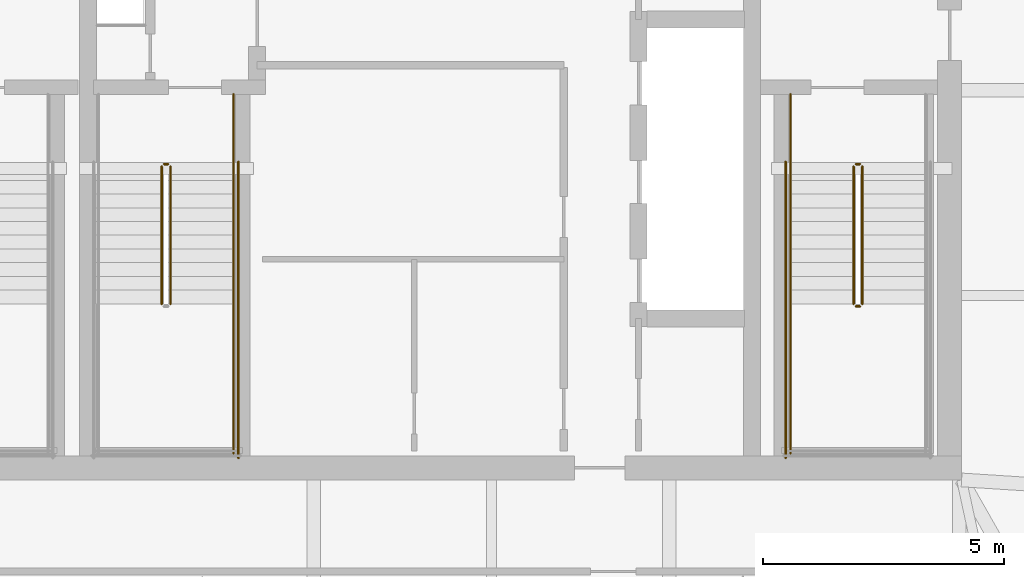
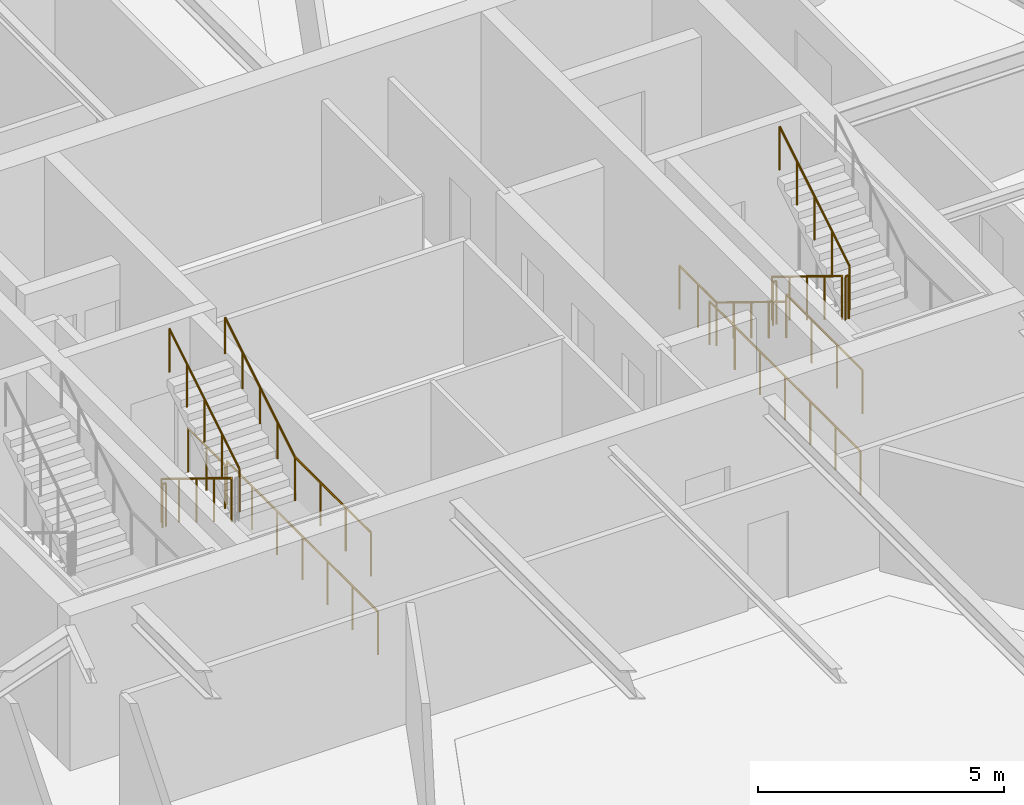
# One storey, part 19 of 20: 15 railings.
"""IFC4 building model written with IfcOpenShell, lengths in metres."""

from ifc_helpers import new_model, si_unit, direction, frame, origin, origin_2d, place, context, subcontext, project, spatial, circle, extrude, material, type_object, element, save


model = new_model("IFC4")

# Units and contexts
model_context = context("Model", 3, precision=1e-05, world=origin(), true_north=direction((0.0, 1.0)))
body_context = subcontext(model_context, "Body", "Model", "MODEL_VIEW")
ifc_project = project(units=[si_unit("LENGTHUNIT", "METRE"), si_unit("AREAUNIT", "SQUARE_METRE"), si_unit("VOLUMEUNIT", "CUBIC_METRE"), si_unit("PLANEANGLEUNIT", "RADIAN"), si_unit("MASSUNIT", "GRAM", prefix="KILO")], contexts=[model_context])

# Site, building, storey
site_placement = place(None, origin())
site = spatial("IfcSite", under=ifc_project, at=site_placement, CompositionType="ELEMENT")
building_placement = place(site_placement, origin())
building = spatial("IfcBuilding", under=site, at=building_placement, Name="Bramvorn Convention Spire", CompositionType="ELEMENT")
storey_placement = place(building_placement, frame((0.0, 0.0, 242.050048828125)))
storey = spatial("IfcBuildingStorey", under=building, at=storey_placement, Name="L61", CompositionType="ELEMENT", Elevation=242.050048828125)

# Railings
ifc_material_1 = material(Name="Painted Steel Balustrade & Guardrail", Category="steel")
railing_type_1 = type_object("IfcRailingType", Name="RL-STAIR-GUARD-1100", PredefinedType="GUARDRAIL", material=ifc_material_1)
railing_1_placement = place(storey_placement, frame((47.010009765625, 25.050048828125, 0.175048828125)))
element("IfcRailing", 1, at=railing_1_placement, inside=storey, type_object=railing_type_1, Name="L61 ST2 stair guard 1", PredefinedType="GUARDRAIL", context=body_context, shape_type="SweptSolid", body=[
    extrude(circle(Radius=0.02392578125, at=origin_2d()), frame((0.0, 0.0, 1.076171875), z_axis=(0.0, -0.852179220489, 0.52325001306), x_axis=(1.0, 0.0, 0.0)), (0.0, 0.0, 1.0), 3.344482421875),
    extrude(circle(Radius=0.02099609375, at=origin_2d()), origin(), (0.0, 0.0, 1.0), 1.052001953125),
    extrude(circle(Radius=0.02099609375, at=origin_2d()), frame((0.0, -0.71240234375, 0.4375)), (0.0, 0.0, 1.0), 1.052001953125),
    extrude(circle(Radius=0.02099609375, at=origin_2d()), frame((0.0, -1.425048828125, 0.875)), (0.0, 0.0, 1.0), 1.052001953125),
    extrude(circle(Radius=0.02099609375, at=origin_2d()), frame((0.0, -2.1376953125, 1.3125)), (0.0, 0.0, 1.0), 1.052001953125),
    extrude(circle(Radius=0.02099609375, at=origin_2d()), frame((0.0, -2.85009765625, 1.75)), (0.0, 0.0, 1.0), 1.052001953125),
])
railing_2_placement = place(storey_placement, frame((47.06005859375, 22.14990234375, 1.925048828125)))
element("IfcRailing", 2, at=railing_2_placement, inside=storey, type_object=railing_type_1, Name="L61 ST2 stair guard 2", PredefinedType="GUARDRAIL", context=body_context, shape_type="SweptSolid", body=[
    extrude(circle(Radius=0.02392578125, at=origin_2d()), frame((0.0, 0.0, 1.076171875), z_axis=(1.0, 0.0, 0.0), x_axis=(0.0, 1.0, 0.0)), (0.0, 0.0, 1.0), 0.079833984375),
    extrude(circle(Radius=0.02099609375, at=origin_2d()), origin(), (0.0, 0.0, 1.0), 1.052001953125),
    extrude(circle(Radius=0.02099609375, at=origin_2d()), frame((0.079833984375, 0.0, 0.0)), (0.0, 0.0, 1.0), 1.052001953125),
])
railing_3_placement = place(storey_placement, frame((45.699951171875, 22.199951171875, 1.925048828125)))
element("IfcRailing", 3, at=railing_3_placement, inside=storey, type_object=railing_type_1, Name="L61 ST2 stair guard 3", PredefinedType="GUARDRAIL", context=body_context, shape_type="SweptSolid", body=[
    extrude(circle(Radius=0.02392578125, at=origin_2d()), frame((0.0, 0.0, 1.076171875), z_axis=(0.0, -1.0, 0.0), x_axis=(1.0, 0.0, 0.0)), (0.0, 0.0, 1.0), 3.099853515625),
    extrude(circle(Radius=0.02099609375, at=origin_2d()), origin(), (0.0, 0.0, 1.0), 1.052001953125),
    extrude(circle(Radius=0.02099609375, at=origin_2d()), frame((0.0, -1.033203125, 0.0)), (0.0, 0.0, 1.0), 1.052001953125),
    extrude(circle(Radius=0.02099609375, at=origin_2d()), frame((0.0, -2.066650390625, 0.0)), (0.0, 0.0, 1.0), 1.052001953125),
    extrude(circle(Radius=0.02099609375, at=origin_2d()), frame((0.0, -3.099853515625, 0.0)), (0.0, 0.0, 1.0), 1.052001953125),
])
railing_4_placement = place(storey_placement, frame((47.18994140625, 22.199951171875, 2.099853515625)))
element("IfcRailing", 4, at=railing_4_placement, inside=storey, type_object=railing_type_1, Name="L61 ST2 stair guard 6", PredefinedType="GUARDRAIL", context=body_context, shape_type="SweptSolid", body=[
    extrude(circle(Radius=0.02392578125, at=origin_2d()), frame((0.0, 0.0, 1.076171875), z_axis=(0.0, 0.852179220489, 0.52325001306), x_axis=(-1.0, 0.0, 0.0)), (0.0, 0.0, 1.0), 3.344482421875),
    extrude(circle(Radius=0.02099609375, at=origin_2d()), origin(), (0.0, 0.0, 1.0), 1.052001953125),
    extrude(circle(Radius=0.02099609375, at=origin_2d()), frame((0.0, 0.71240234375, 0.4375)), (0.0, 0.0, 1.0), 1.052001953125),
    extrude(circle(Radius=0.02099609375, at=origin_2d()), frame((0.0, 1.425048828125, 0.875)), (0.0, 0.0, 1.0), 1.052001953125),
    extrude(circle(Radius=0.02099609375, at=origin_2d()), frame((0.0, 2.1376953125, 1.3125)), (0.0, 0.0, 1.0), 1.052001953125),
    extrude(circle(Radius=0.02099609375, at=origin_2d()), frame((0.0, 2.85009765625, 1.75)), (0.0, 0.0, 1.0), 1.052001953125),
])
railing_5_placement = place(storey_placement, frame((47.06005859375, 25.10009765625, 0.0)))
element("IfcRailing", 5, at=railing_5_placement, inside=storey, type_object=railing_type_1, Name="L61 ST2 stair guard 7", PredefinedType="GUARDRAIL", context=body_context, shape_type="SweptSolid", body=[
    extrude(circle(Radius=0.02392578125, at=origin_2d()), frame((0.0, 0.0, 1.076171875), z_axis=(1.0, 0.0, 0.0), x_axis=(0.0, 1.0, 0.0)), (0.0, 0.0, 1.0), 0.079833984375),
    extrude(circle(Radius=0.02099609375, at=origin_2d()), origin(), (0.0, 0.0, 1.0), 1.052001953125),
    extrude(circle(Radius=0.02099609375, at=origin_2d()), frame((0.079833984375, 0.0, 0.0)), (0.0, 0.0, 1.0), 1.052001953125),
])
railing_6_placement = place(storey_placement, frame((45.699951171875, 26.550048828125, 0.0)))
element("IfcRailing", 6, at=railing_6_placement, inside=storey, type_object=railing_type_1, Name="L61 ST2 stair guard 8", PredefinedType="GUARDRAIL", context=body_context, shape_type="SweptSolid", body=[
    extrude(circle(Radius=0.02392578125, at=origin_2d()), frame((0.0, 0.0, 1.076171875), z_axis=(0.0, -1.0, 0.0), x_axis=(1.0, 0.0, 0.0)), (0.0, 0.0, 1.0), 1.5),
    extrude(circle(Radius=0.02099609375, at=origin_2d()), origin(), (0.0, 0.0, 1.0), 1.052001953125),
    extrude(circle(Radius=0.02099609375, at=origin_2d()), frame((0.0, -0.75, 0.0)), (0.0, 0.0, 1.0), 1.052001953125),
    extrude(circle(Radius=0.02099609375, at=origin_2d()), frame((0.0, -1.5, 0.0)), (0.0, 0.0, 1.0), 1.052001953125),
])
railing_7_placement = place(storey_placement, frame((45.60009765625, 25.14990234375, 0.0)))
element("IfcRailing", 7, at=railing_7_placement, inside=storey, type_object=railing_type_1, Name="L61 ST2 stair guard 10", PredefinedType="GUARDRAIL", context=body_context, shape_type="SweptSolid", body=[
    extrude(circle(Radius=0.02392578125, at=origin_2d()), frame((0.0, 0.0, 1.076171875), z_axis=(0.0, -1.0, 0.0), x_axis=(1.0, 0.0, 0.0)), (0.0, 0.0, 1.0), 6.14990234375),
    extrude(circle(Radius=0.02099609375, at=origin_2d()), origin(), (0.0, 0.0, 1.0), 1.052001953125),
    extrude(circle(Radius=0.02099609375, at=origin_2d()), frame((0.0, -1.02490234375, 0.0)), (0.0, 0.0, 1.0), 1.052001953125),
    extrude(circle(Radius=0.02099609375, at=origin_2d()), frame((0.0, -2.050048828125, 0.0)), (0.0, 0.0, 1.0), 1.052001953125),
    extrude(circle(Radius=0.02099609375, at=origin_2d()), frame((0.0, -3.074951171875, 0.0)), (0.0, 0.0, 1.0), 1.052001953125),
    extrude(circle(Radius=0.02099609375, at=origin_2d()), frame((0.0, -4.099853515625, 0.0)), (0.0, 0.0, 1.0), 1.052001953125),
    extrude(circle(Radius=0.02099609375, at=origin_2d()), frame((0.0, -5.125, 0.0)), (0.0, 0.0, 1.0), 1.052001953125),
    extrude(circle(Radius=0.02099609375, at=origin_2d()), frame((0.0, -6.14990234375, 0.0)), (0.0, 0.0, 1.0), 1.052001953125),
])
railing_8_placement = place(storey_placement, frame((32.659912109375, 25.050048828125, 0.175048828125)))
element("IfcRailing", 8, at=railing_8_placement, inside=storey, type_object=railing_type_1, Name="L61 ST3 stair guard 1", PredefinedType="GUARDRAIL", context=body_context, shape_type="SweptSolid", body=[
    extrude(circle(Radius=0.02392578125, at=origin_2d()), frame((0.0, 0.0, 1.076171875), z_axis=(0.0, -0.852179220489, 0.52325001306), x_axis=(1.0, 0.0, 0.0)), (0.0, 0.0, 1.0), 3.344482421875),
    extrude(circle(Radius=0.02099609375, at=origin_2d()), origin(), (0.0, 0.0, 1.0), 1.052001953125),
    extrude(circle(Radius=0.02099609375, at=origin_2d()), frame((0.0, -0.71240234375, 0.4375)), (0.0, 0.0, 1.0), 1.052001953125),
    extrude(circle(Radius=0.02099609375, at=origin_2d()), frame((0.0, -1.425048828125, 0.875)), (0.0, 0.0, 1.0), 1.052001953125),
    extrude(circle(Radius=0.02099609375, at=origin_2d()), frame((0.0, -2.1376953125, 1.3125)), (0.0, 0.0, 1.0), 1.052001953125),
    extrude(circle(Radius=0.02099609375, at=origin_2d()), frame((0.0, -2.85009765625, 1.75)), (0.0, 0.0, 1.0), 1.052001953125),
])
railing_9_placement = place(storey_placement, frame((34.14990234375, 22.199951171875, 1.925048828125)))
element("IfcRailing", 9, at=railing_9_placement, inside=storey, type_object=railing_type_1, Name="L61 ST3 stair guard 4", PredefinedType="GUARDRAIL", context=body_context, shape_type="SweptSolid", body=[
    extrude(circle(Radius=0.02392578125, at=origin_2d()), frame((0.0, 0.0, 1.076171875), z_axis=(0.0, -1.0, 0.0), x_axis=(1.0, 0.0, 0.0)), (0.0, 0.0, 1.0), 3.099853515625),
    extrude(circle(Radius=0.02099609375, at=origin_2d()), origin(), (0.0, 0.0, 1.0), 1.052001953125),
    extrude(circle(Radius=0.02099609375, at=origin_2d()), frame((0.0, -1.033203125, 0.0)), (0.0, 0.0, 1.0), 1.052001953125),
    extrude(circle(Radius=0.02099609375, at=origin_2d()), frame((0.0, -2.066650390625, 0.0)), (0.0, 0.0, 1.0), 1.052001953125),
    extrude(circle(Radius=0.02099609375, at=origin_2d()), frame((0.0, -3.099853515625, 0.0)), (0.0, 0.0, 1.0), 1.052001953125),
])
railing_10_placement = place(storey_placement, frame((32.840087890625, 22.199951171875, 2.099853515625)))
element("IfcRailing", 10, at=railing_10_placement, inside=storey, type_object=railing_type_1, Name="L61 ST3 stair guard 6", PredefinedType="GUARDRAIL", context=body_context, shape_type="SweptSolid", body=[
    extrude(circle(Radius=0.02392578125, at=origin_2d()), frame((0.0, 0.0, 1.076171875), z_axis=(0.0, 0.852179220489, 0.52325001306), x_axis=(-1.0, 0.0, 0.0)), (0.0, 0.0, 1.0), 3.344482421875),
    extrude(circle(Radius=0.02099609375, at=origin_2d()), origin(), (0.0, 0.0, 1.0), 1.052001953125),
    extrude(circle(Radius=0.02099609375, at=origin_2d()), frame((0.0, 0.71240234375, 0.4375)), (0.0, 0.0, 1.0), 1.052001953125),
    extrude(circle(Radius=0.02099609375, at=origin_2d()), frame((0.0, 1.425048828125, 0.875)), (0.0, 0.0, 1.0), 1.052001953125),
    extrude(circle(Radius=0.02099609375, at=origin_2d()), frame((0.0, 2.1376953125, 1.3125)), (0.0, 0.0, 1.0), 1.052001953125),
    extrude(circle(Radius=0.02099609375, at=origin_2d()), frame((0.0, 2.85009765625, 1.75)), (0.0, 0.0, 1.0), 1.052001953125),
])
railing_11_placement = place(storey_placement, frame((32.7099609375, 25.10009765625, 0.0)))
element("IfcRailing", 11, at=railing_11_placement, inside=storey, type_object=railing_type_1, Name="L61 ST3 stair guard 7", PredefinedType="GUARDRAIL", context=body_context, shape_type="SweptSolid", body=[
    extrude(circle(Radius=0.02392578125, at=origin_2d()), frame((0.0, 0.0, 1.076171875), z_axis=(1.0, 0.0, 0.0), x_axis=(0.0, 1.0, 0.0)), (0.0, 0.0, 1.0), 0.080078125),
    extrude(circle(Radius=0.02099609375, at=origin_2d()), origin(), (0.0, 0.0, 1.0), 1.052001953125),
    extrude(circle(Radius=0.02099609375, at=origin_2d()), frame((0.080078125, 0.0, 0.0)), (0.0, 0.0, 1.0), 1.052001953125),
])
railing_12_placement = place(storey_placement, frame((34.14990234375, 26.550048828125, 0.0)))
element("IfcRailing", 12, at=railing_12_placement, inside=storey, type_object=railing_type_1, Name="L61 ST3 stair guard 9", PredefinedType="GUARDRAIL", context=body_context, shape_type="SweptSolid", body=[
    extrude(circle(Radius=0.02392578125, at=origin_2d()), frame((0.0, 0.0, 1.076171875), z_axis=(0.0, -1.0, 0.0), x_axis=(1.0, 0.0, 0.0)), (0.0, 0.0, 1.0), 1.5),
    extrude(circle(Radius=0.02099609375, at=origin_2d()), origin(), (0.0, 0.0, 1.0), 1.052001953125),
    extrude(circle(Radius=0.02099609375, at=origin_2d()), frame((0.0, -0.75, 0.0)), (0.0, 0.0, 1.0), 1.052001953125),
    extrude(circle(Radius=0.02099609375, at=origin_2d()), frame((0.0, -1.5, 0.0)), (0.0, 0.0, 1.0), 1.052001953125),
])
railing_13_placement = place(storey_placement, frame((34.25, 25.14990234375, 0.0)))
element("IfcRailing", 13, at=railing_13_placement, inside=storey, type_object=railing_type_1, Name="L61 ST3 stair guard 11", PredefinedType="GUARDRAIL", context=body_context, shape_type="SweptSolid", body=[
    extrude(circle(Radius=0.02392578125, at=origin_2d()), frame((0.0, 0.0, 1.076171875), z_axis=(0.0, -1.0, 0.0), x_axis=(1.0, 0.0, 0.0)), (0.0, 0.0, 1.0), 6.14990234375),
    extrude(circle(Radius=0.02099609375, at=origin_2d()), origin(), (0.0, 0.0, 1.0), 1.052001953125),
    extrude(circle(Radius=0.02099609375, at=origin_2d()), frame((0.0, -1.02490234375, 0.0)), (0.0, 0.0, 1.0), 1.052001953125),
    extrude(circle(Radius=0.02099609375, at=origin_2d()), frame((0.0, -2.050048828125, 0.0)), (0.0, 0.0, 1.0), 1.052001953125),
    extrude(circle(Radius=0.02099609375, at=origin_2d()), frame((0.0, -3.074951171875, 0.0)), (0.0, 0.0, 1.0), 1.052001953125),
    extrude(circle(Radius=0.02099609375, at=origin_2d()), frame((0.0, -4.099853515625, 0.0)), (0.0, 0.0, 1.0), 1.052001953125),
    extrude(circle(Radius=0.02099609375, at=origin_2d()), frame((0.0, -5.125, 0.0)), (0.0, 0.0, 1.0), 1.052001953125),
    extrude(circle(Radius=0.02099609375, at=origin_2d()), frame((0.0, -6.14990234375, 0.0)), (0.0, 0.0, 1.0), 1.052001953125),
])
ifc_material_2 = material(Name="Brushed Bronze Tubular Handrail", Category="aluminium")
railing_type_2 = type_object("IfcRailingType", Name="RL-STAIR-HR-920", PredefinedType="HANDRAIL", material=ifc_material_2)
railing_14_placement = place(storey_placement, frame((45.699951171875, 25.050048828125, 0.175048828125)))
element("IfcRailing", 14, at=railing_14_placement, inside=storey, type_object=railing_type_2, Name="L61 ST2 stair handrail 1", PredefinedType="HANDRAIL", context=body_context, shape_type="SweptSolid", body=[
    extrude(circle(Radius=0.02392578125, at=origin_2d()), frame((0.0, 0.0, 0.89599609375), z_axis=(0.0, -0.852179220489, 0.52325001306), x_axis=(1.0, 0.0, 0.0)), (0.0, 0.0, 1.0), 3.344482421875),
    extrude(circle(Radius=0.02099609375, at=origin_2d()), origin(), (0.0, 0.0, 1.0), 0.871826171875),
    extrude(circle(Radius=0.02099609375, at=origin_2d()), frame((0.0, -0.71240234375, 0.4375)), (0.0, 0.0, 1.0), 0.871826171875),
    extrude(circle(Radius=0.02099609375, at=origin_2d()), frame((0.0, -1.425048828125, 0.875)), (0.0, 0.0, 1.0), 0.871826171875),
    extrude(circle(Radius=0.02099609375, at=origin_2d()), frame((0.0, -2.1376953125, 1.3125)), (0.0, 0.0, 1.0), 0.871826171875),
    extrude(circle(Radius=0.02099609375, at=origin_2d()), frame((0.0, -2.85009765625, 1.75)), (0.0, 0.0, 1.0), 0.871826171875),
])
railing_15_placement = place(storey_placement, frame((34.14990234375, 22.199951171875, 2.099853515625)))
element("IfcRailing", 15, at=railing_15_placement, inside=storey, type_object=railing_type_2, Name="L61 ST3 stair handrail 2", PredefinedType="HANDRAIL", context=body_context, shape_type="SweptSolid", body=[
    extrude(circle(Radius=0.02392578125, at=origin_2d()), frame((0.0, 0.0, 0.89599609375), z_axis=(0.0, 0.852179220489, 0.52325001306), x_axis=(-1.0, 0.0, 0.0)), (0.0, 0.0, 1.0), 3.344482421875),
    extrude(circle(Radius=0.02099609375, at=origin_2d()), origin(), (0.0, 0.0, 1.0), 0.871826171875),
    extrude(circle(Radius=0.02099609375, at=origin_2d()), frame((0.0, 0.71240234375, 0.4375)), (0.0, 0.0, 1.0), 0.871826171875),
    extrude(circle(Radius=0.02099609375, at=origin_2d()), frame((0.0, 1.425048828125, 0.875)), (0.0, 0.0, 1.0), 0.871826171875),
    extrude(circle(Radius=0.02099609375, at=origin_2d()), frame((0.0, 2.1376953125, 1.3125)), (0.0, 0.0, 1.0), 0.871826171875),
    extrude(circle(Radius=0.02099609375, at=origin_2d()), frame((0.0, 2.85009765625, 1.75)), (0.0, 0.0, 1.0), 0.871826171875),
])

save(model, "model.ifc")
